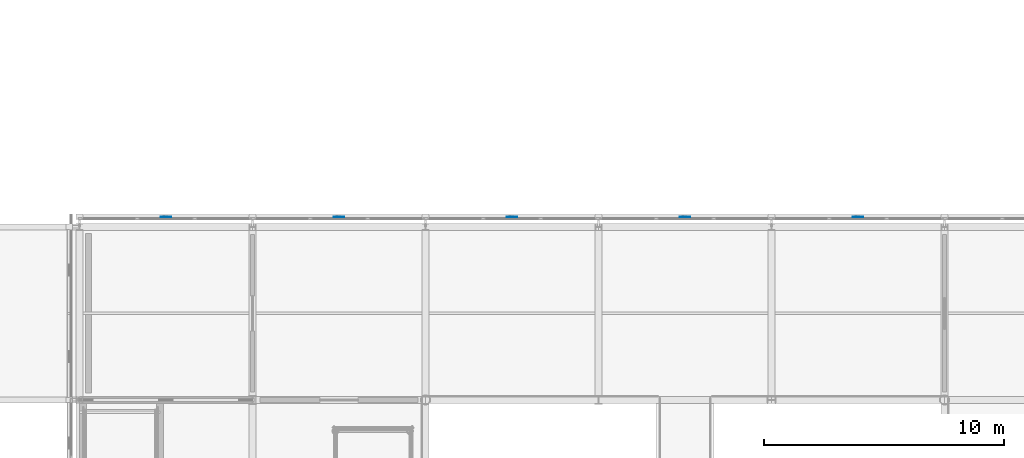
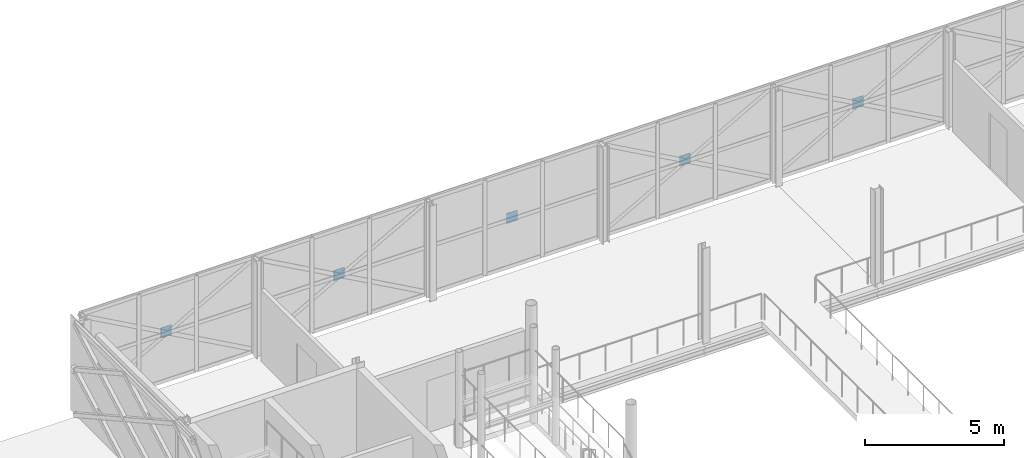
# One storey, part 76 of 103: 5 plates.
"""IFC4 building model written with IfcOpenShell, lengths in metres."""

from ifc_helpers import new_model, si_unit, direction, frame, origin, origin_2d, place, context, subcontext, project, spatial, rectangle, extrude, material, layer, layer_set, type_object, element, save


model = new_model("IFC4")

# Units and contexts
model_context = context("Model", 3, precision=1e-05, world=origin(), true_north=direction((0.0, 1.0)))
body_context = subcontext(model_context, "Body", "Model", "MODEL_VIEW")
ifc_project = project(units=[si_unit("LENGTHUNIT", "METRE"), si_unit("AREAUNIT", "SQUARE_METRE"), si_unit("VOLUMEUNIT", "CUBIC_METRE"), si_unit("PLANEANGLEUNIT", "RADIAN"), si_unit("MASSUNIT", "GRAM", prefix="KILO")], contexts=[model_context])

# Site, building, storey
site_placement = place(None, origin())
site = spatial("IfcSite", under=ifc_project, at=site_placement, CompositionType="ELEMENT")
building_placement = place(site_placement, origin())
building = spatial("IfcBuilding", under=site, at=building_placement, Name="Zlatovets Crest Museum", CompositionType="ELEMENT")
storey_placement = place(building_placement, frame((0.0, 0.0, 12.89990234375)))
storey = spatial("IfcBuildingStorey", under=building, at=storey_placement, Name="L03", CompositionType="ELEMENT", Elevation=12.89990234375)

# Plates
ifc_material = material(Name="Structural steel S355J2", Category="steel")
ifc_layer = layer(ifc_material, 0.02001953125)
ifc_layer_set = layer_set([ifc_layer], Name="Structural steel S355J2")
plate_type = type_object("IfcPlateType", Name="Gusset_GP-04", PredefinedType="USERDEFINED", material=ifc_layer_set)
for number, where, z_axis, x_axis, name in (
    (1, (90.0, 29.219970703125, 1.875), (0.0, 0.0, 1.0), (1.0, 0.0, 0.0), "X-Brace Crossing Node Gusset Plate GP-04"),
    (2, (82.800048828125, 29.219970703125, 1.875), (0.0, 0.0, 1.0), (1.0, 0.0, 0.0), "X-Brace Crossing Node Gusset Plate GP-04"),
    (3, (75.60009765625, 29.219970703125, 1.875), (0.0, 0.0, 1.0), (1.0, 0.0, 0.0), "X-Brace Crossing Node Gusset Plate GP-04"),
    (4, (68.39990234375, 29.219970703125, 1.875), (0.0, 0.0, 1.0), (1.0, 0.0, 0.0), "X-Brace Crossing Node Gusset Plate GP-04"),
    (5, (61.199951171875, 29.219970703125, 1.875), (0.0, 0.0, 1.0), (1.0, 0.0, 0.0), "X-Brace Crossing Node Gusset Plate GP-04"),
):
    element("IfcPlate", number, at=place(storey_placement, frame(where, z_axis=z_axis, x_axis=x_axis)), inside=storey, type_object=plate_type, Name=name, ObjectType="GUSSET", PredefinedType="USERDEFINED", context=body_context, shape_type="SweptSolid", body=[
        extrude(rectangle(XDim=0.449951171875, YDim=0.02001953125, at=origin_2d()), origin(), (0.0, 0.0, 1.0), 0.449951171875),
    ])

save(model, "model.ifc")
